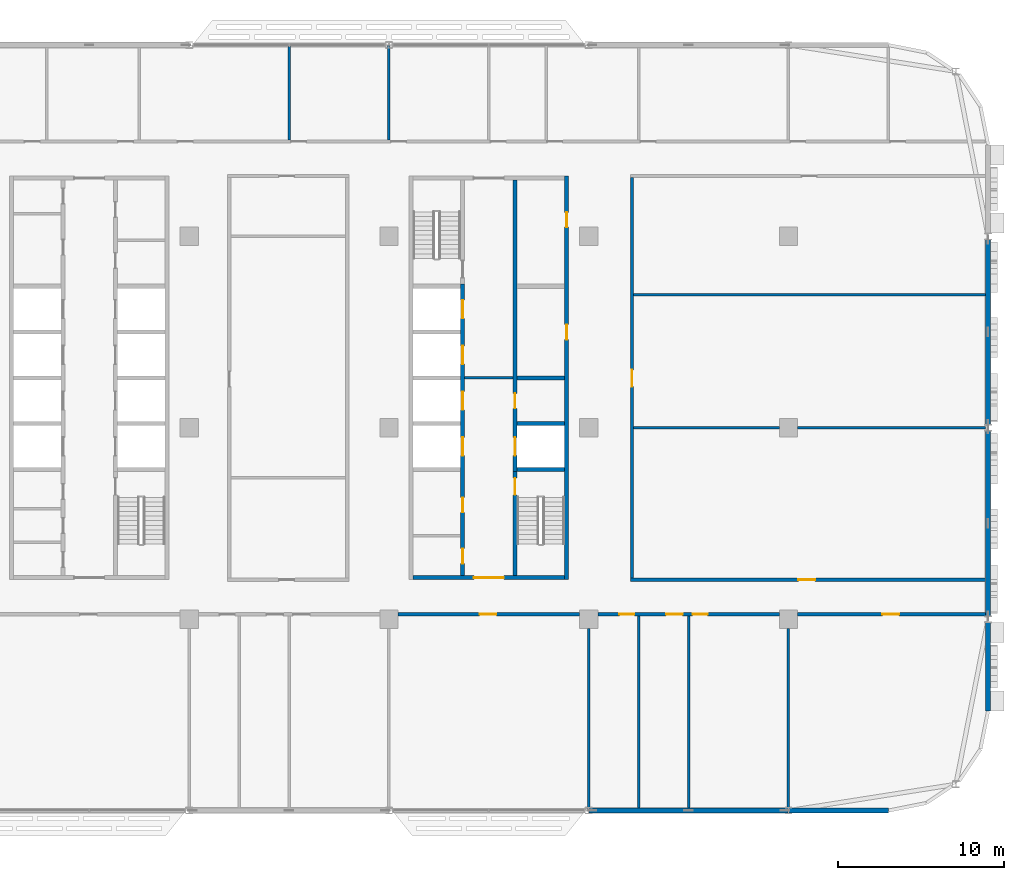
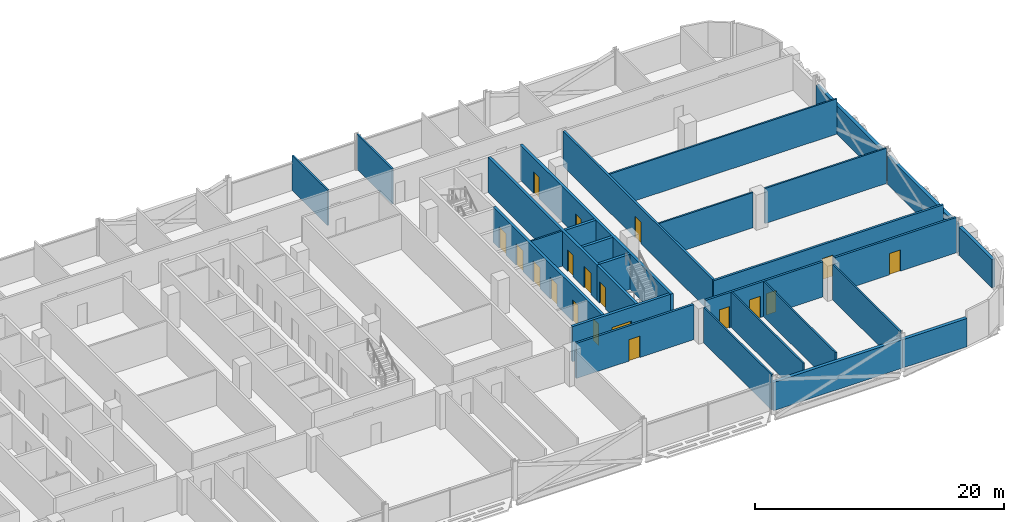
# One storey, part 17 of 30: 28 walls, 19 doors, 19 openings.
"""IFC4 building model written with IfcOpenShell, lengths in metres."""

from ifc_helpers import new_model, si_unit, direction, frame, frame_2d, origin, place, context, subcontext, project, spatial, rectangle, extrude, material, layer, layer_set, type_object, element, fill, save


model = new_model("IFC4")

# Units and contexts
model_context = context("Model", 3, precision=1e-05, world=origin(), true_north=direction((0.0, 1.0)))
body_context = subcontext(model_context, "Body", "Model", "MODEL_VIEW")
ifc_project = project(units=[si_unit("LENGTHUNIT", "METRE"), si_unit("AREAUNIT", "SQUARE_METRE"), si_unit("VOLUMEUNIT", "CUBIC_METRE"), si_unit("PLANEANGLEUNIT", "RADIAN"), si_unit("MASSUNIT", "GRAM", prefix="KILO")], contexts=[model_context])

# Site, building, storey
site_placement = place(None, origin())
site = spatial("IfcSite", under=ifc_project, at=site_placement, CompositionType="ELEMENT")
building_placement = place(site_placement, origin())
building = spatial("IfcBuilding", under=site, at=building_placement, Name="Mahtab Terrace Research Tower", CompositionType="ELEMENT")
storey_placement = place(building_placement, frame((0.0, 0.0, 212.89990234375)))
storey = spatial("IfcBuildingStorey", under=building, at=storey_placement, Name="L51", CompositionType="ELEMENT", Elevation=212.89990234375)

# Wall
ifc_material_1 = material(Name="Gypsum board partition")
ifc_layer_1 = layer(ifc_material_1, 0.14990234375)
ifc_layer_set_1 = layer_set([ifc_layer_1], Name="Core partition 150")
wall_type_1 = type_object("IfcWallType", Name="Core partition 150", PredefinedType="PARTITIONING", material=ifc_layer_set_1)
wall_1_placement = place(storey_placement, frame((22.550048828125, 3.0, 0.0), z_axis=(0.0, 0.0, 1.0), x_axis=(1.0, 0.0, 0.0)))
element("IfcWall", 1, at=wall_1_placement, inside=storey, type_object=wall_type_1, Name="Core wall C ffl", PredefinedType="PARTITIONING", context=body_context, shape_type="SweptSolid", body=[
    extrude(rectangle(XDim=2.89990234375, YDim=0.14990234375, at=frame_2d((1.449951171875, 0.0))), origin(), (0.0, 0.0, 1.0), 3.460205078125),
])

# Wall, openings, doors
ifc_material_2 = material(Name="Concrete C70/85", Category="concrete")
ifc_layer_2 = layer(ifc_material_2, 0.25)
ifc_layer_set_2 = layer_set([ifc_layer_2], Name="Core wall 250")
wall_type_2 = type_object("IfcWallType", Name="Core wall 250", PredefinedType="SOLIDWALL", material=ifc_layer_set_2)
wall_2_placement = place(storey_placement, frame((28.675048828125, -9.125, 0.0), z_axis=(0.0, 0.0, 1.0), x_axis=(0.0, 1.0, 0.0)))
wall_2 = element("IfcWall", 2, at=wall_2_placement, inside=storey, type_object=wall_type_2, Name="Core wall C outerE", PredefinedType="SOLIDWALL", context=body_context, shape_type="SweptSolid", body=[
    extrude(rectangle(XDim=24.25, YDim=0.25, at=frame_2d((12.125, 0.0))), origin(), (0.0, 0.0, 1.0), 3.460205078125),
])
opening_1_placement = place(wall_2_placement, frame((14.425048828125, 0.0, 0.0)))
opening_1 = element("IfcOpeningElement", 3, at=opening_1_placement, cuts=wall_2, Name="Opening C-R2", PredefinedType="OPENING", context=body_context, shape_type="SweptSolid", body=[
    extrude(rectangle(XDim=0.89990234375, YDim=2.10009765625, at=frame_2d((0.449951171875, 1.050048828125))), frame((0.0, 0.135009765625, 0.0), z_axis=(0.0, -1.0, 0.0), x_axis=(1.0, 0.0, 0.0)), (0.0, 0.0, 1.0), 0.27001953125),
])
opening_2_placement = place(wall_2_placement, frame((21.175048828125, 0.0, 0.0)))
opening_2 = element("IfcOpeningElement", 4, at=opening_2_placement, cuts=wall_2, Name="Opening C-R5", PredefinedType="OPENING", context=body_context, shape_type="SweptSolid", body=[
    extrude(rectangle(XDim=0.89990234375, YDim=2.10009765625, at=frame_2d((0.449951171875, 1.050048828125))), frame((0.0, 0.135009765625, 0.0), z_axis=(0.0, -1.0, 0.0), x_axis=(1.0, 0.0, 0.0)), (0.0, 0.0, 1.0), 0.27001953125),
])
ifc_material_3 = material(Name="Steel fire door", Category="steel")
door_type_1 = type_object("IfcDoorType", Name="Room door 900x2100 1 HR", OperationType="NOTDEFINED", PredefinedType="DOOR", material=ifc_material_3)
door_1_placement = place(opening_1_placement, origin())
door_1 = element("IfcDoor", 5, at=door_1_placement, inside=storey, type_object=door_type_1, Name="Plant room door", OperationType="SINGLE_SWING_RIGHT", OverallHeight=2.10009765625, OverallWidth=0.89990234375, PredefinedType="DOOR", context=body_context, shape_type="SweptSolid", body=[
    extrude(rectangle(XDim=0.89990234375, YDim=2.10009765625, at=frame_2d((0.449951171875, 1.050048828125))), frame((0.0, 0.02490234375, 0.0), z_axis=(0.0, -1.0, 0.0), x_axis=(1.0, 0.0, 0.0)), (0.0, 0.0, 1.0), 0.050048828125),
])
fill(opening_1, door_1)
door_2_placement = place(opening_2_placement, origin())
door_2 = element("IfcDoor", 6, at=door_2_placement, inside=storey, type_object=door_type_1, Name="Gas cylinder store door", OperationType="SINGLE_SWING_LEFT", OverallHeight=2.10009765625, OverallWidth=0.89990234375, PredefinedType="DOOR", context=body_context, shape_type="SweptSolid", body=[
    extrude(rectangle(XDim=0.89990234375, YDim=2.10009765625, at=frame_2d((0.449951171875, 1.050048828125))), frame((0.0, 0.02490234375, 0.0), z_axis=(0.0, -1.0, 0.0), x_axis=(1.0, 0.0, 0.0)), (0.0, 0.0, 1.0), 0.050048828125),
])
fill(opening_2, door_2)

# Wall, opening, door
wall_3_placement = place(storey_placement, frame((28.550048828125, -9.0, 0.0), z_axis=(0.0, 0.0, 1.0), x_axis=(-1.0, 0.0, 0.0)))
wall_3 = element("IfcWall", 7, at=wall_3_placement, inside=storey, type_object=wall_type_2, Name="Core wall C endS", PredefinedType="SOLIDWALL", context=body_context, shape_type="SweptSolid", body=[
    extrude(rectangle(XDim=9.10009765625, YDim=0.25, at=frame_2d((4.550048828125, 0.0))), origin(), (0.0, 0.0, 1.0), 3.460205078125),
])
opening_3_placement = place(wall_3_placement, frame((3.64990234375, 0.0, 0.0)))
opening_3 = element("IfcOpeningElement", 8, at=opening_3_placement, cuts=wall_3, Name="Opening C-S1", PredefinedType="OPENING", context=body_context, shape_type="SweptSolid", body=[
    extrude(rectangle(XDim=1.800048828125, YDim=2.10009765625, at=frame_2d((0.89990234375, 1.050048828125))), frame((0.0, 0.135009765625, 0.0), z_axis=(0.0, -1.0, 0.0), x_axis=(1.0, 0.0, 0.0)), (0.0, 0.0, 1.0), 0.27001953125),
])
door_type_2 = type_object("IfcDoorType", Name="Lobby double door 1800x2100 1 HR", OperationType="DOUBLE_DOOR_SINGLE_SWING", PredefinedType="DOOR", material=ifc_material_3)
door_3_placement = place(opening_3_placement, origin())
door_3 = element("IfcDoor", 9, at=door_3_placement, inside=storey, type_object=door_type_2, Name="Core entrance door C S", OperationType="DOUBLE_DOOR_SINGLE_SWING", OverallHeight=2.10009765625, OverallWidth=1.800048828125, PredefinedType="DOOR", context=body_context, shape_type="SweptSolid", body=[
    extrude(rectangle(XDim=1.800048828125, YDim=2.10009765625, at=frame_2d((0.89990234375, 1.050048828125))), frame((0.0, 0.02490234375, 0.0), z_axis=(0.0, -1.0, 0.0), x_axis=(1.0, 0.0, 0.0)), (0.0, 0.0, 1.0), 0.050048828125),
])
fill(opening_3, door_3)

# Wall, openings, doors
wall_4_placement = place(storey_placement, frame((22.425048828125, -8.875, 0.0), z_axis=(0.0, 0.0, 1.0), x_axis=(0.0, 1.0, 0.0)))
wall_4 = element("IfcWall", 10, at=wall_4_placement, inside=storey, type_object=wall_type_2, Name="Core wall C innerWSL", PredefinedType="SOLIDWALL", context=body_context, shape_type="SweptSolid", body=[
    extrude(rectangle(XDim=17.5, YDim=0.25, at=frame_2d((8.75, 0.0))), origin(), (0.0, 0.0, 1.0), 3.460205078125),
])
opening_4_placement = place(wall_4_placement, frame((7.199951171875, 0.0, 0.0)))
opening_4 = element("IfcOpeningElement", 11, at=opening_4_placement, cuts=wall_4, Name="Opening LD17-L51", PredefinedType="OPENING", context=body_context, shape_type="SweptSolid", body=[
    extrude(rectangle(XDim=1.10009765625, YDim=2.10009765625, at=frame_2d((0.550048828125, 1.050048828125))), frame((0.0, 0.135009765625, 0.0), z_axis=(0.0, -1.0, 0.0), x_axis=(1.0, 0.0, 0.0)), (0.0, 0.0, 1.0), 0.27001953125),
])
opening_5_placement = place(wall_4_placement, frame((9.949951171875, 0.0, 0.0)))
opening_5 = element("IfcOpeningElement", 12, at=opening_5_placement, cuts=wall_4, Name="Opening LD18-L51", PredefinedType="OPENING", context=body_context, shape_type="SweptSolid", body=[
    extrude(rectangle(XDim=1.10009765625, YDim=2.10009765625, at=frame_2d((0.550048828125, 1.050048828125))), frame((0.0, 0.135009765625, 0.0), z_axis=(0.0, -1.0, 0.0), x_axis=(1.0, 0.0, 0.0)), (0.0, 0.0, 1.0), 0.27001953125),
])
opening_6_placement = place(wall_4_placement, frame((12.699951171875, 0.0, 0.0)))
opening_6 = element("IfcOpeningElement", 13, at=opening_6_placement, cuts=wall_4, Name="Opening LD19-L51", PredefinedType="OPENING", context=body_context, shape_type="SweptSolid", body=[
    extrude(rectangle(XDim=1.10009765625, YDim=2.10009765625, at=frame_2d((0.550048828125, 1.050048828125))), frame((0.0, 0.135009765625, 0.0), z_axis=(0.0, -1.0, 0.0), x_axis=(1.0, 0.0, 0.0)), (0.0, 0.0, 1.0), 0.27001953125),
])
opening_7_placement = place(wall_4_placement, frame((15.449951171875, 0.0, 0.0)))
opening_7 = element("IfcOpeningElement", 14, at=opening_7_placement, cuts=wall_4, Name="Opening LD20-L51", PredefinedType="OPENING", context=body_context, shape_type="SweptSolid", body=[
    extrude(rectangle(XDim=1.10009765625, YDim=2.10009765625, at=frame_2d((0.550048828125, 1.050048828125))), frame((0.0, 0.135009765625, 0.0), z_axis=(0.0, -1.0, 0.0), x_axis=(1.0, 0.0, 0.0)), (0.0, 0.0, 1.0), 0.27001953125),
])
opening_8_placement = place(wall_4_placement, frame((0.71240234375, 0.0, 0.0)))
opening_8 = element("IfcOpeningElement", 15, at=opening_8_placement, cuts=wall_4, Name="Opening C-R3", PredefinedType="OPENING", context=body_context, shape_type="SweptSolid", body=[
    extrude(rectangle(XDim=0.89990234375, YDim=2.10009765625, at=frame_2d((0.449951171875, 1.050048828125))), frame((0.0, 0.135009765625, 0.0), z_axis=(0.0, -1.0, 0.0), x_axis=(1.0, 0.0, 0.0)), (0.0, 0.0, 1.0), 0.27001953125),
])
opening_9_placement = place(wall_4_placement, frame((3.78759765625, 0.0, 0.0)))
opening_9 = element("IfcOpeningElement", 16, at=opening_9_placement, cuts=wall_4, Name="Opening C-R4", PredefinedType="OPENING", context=body_context, shape_type="SweptSolid", body=[
    extrude(rectangle(XDim=0.89990234375, YDim=2.10009765625, at=frame_2d((0.449951171875, 1.050048828125))), frame((0.0, 0.135009765625, 0.0), z_axis=(0.0, -1.0, 0.0), x_axis=(1.0, 0.0, 0.0)), (0.0, 0.0, 1.0), 0.27001953125),
])
ifc_material_4 = material(Name="Stainless steel AISI 304", Category="steel")
door_type_3 = type_object("IfcDoorType", Name="Landing door 1100x2100", OperationType="DOUBLE_DOOR_SLIDING", PredefinedType="DOOR", material=ifc_material_4)
door_4_placement = place(opening_4_placement, origin())
door_4 = element("IfcDoor", 17, at=door_4_placement, inside=storey, type_object=door_type_3, Name="Landing door SV1 L51", OperationType="DOUBLE_DOOR_SLIDING", OverallHeight=2.10009765625, OverallWidth=1.10009765625, PredefinedType="DOOR", context=body_context, shape_type="SweptSolid", body=[
    extrude(rectangle(XDim=1.10009765625, YDim=2.10009765625, at=frame_2d((0.550048828125, 1.050048828125))), frame((0.0, 0.02490234375, 0.0), z_axis=(0.0, -1.0, 0.0), x_axis=(1.0, 0.0, 0.0)), (0.0, 0.0, 1.0), 0.050048828125),
])
fill(opening_4, door_4)
door_5_placement = place(opening_5_placement, origin())
door_5 = element("IfcDoor", 18, at=door_5_placement, inside=storey, type_object=door_type_3, Name="Landing door SV2 L51", OperationType="DOUBLE_DOOR_SLIDING", OverallHeight=2.10009765625, OverallWidth=1.10009765625, PredefinedType="DOOR", context=body_context, shape_type="SweptSolid", body=[
    extrude(rectangle(XDim=1.10009765625, YDim=2.10009765625, at=frame_2d((0.550048828125, 1.050048828125))), frame((0.0, 0.02490234375, 0.0), z_axis=(0.0, -1.0, 0.0), x_axis=(1.0, 0.0, 0.0)), (0.0, 0.0, 1.0), 0.050048828125),
])
fill(opening_5, door_5)
door_6_placement = place(opening_6_placement, origin())
door_6 = element("IfcDoor", 19, at=door_6_placement, inside=storey, type_object=door_type_3, Name="Landing door FF1 L51", OperationType="DOUBLE_DOOR_SLIDING", OverallHeight=2.10009765625, OverallWidth=1.10009765625, PredefinedType="DOOR", context=body_context, shape_type="SweptSolid", body=[
    extrude(rectangle(XDim=1.10009765625, YDim=2.10009765625, at=frame_2d((0.550048828125, 1.050048828125))), frame((0.0, 0.02490234375, 0.0), z_axis=(0.0, -1.0, 0.0), x_axis=(1.0, 0.0, 0.0)), (0.0, 0.0, 1.0), 0.050048828125),
])
fill(opening_6, door_6)
door_7_placement = place(opening_7_placement, origin())
door_7 = element("IfcDoor", 20, at=door_7_placement, inside=storey, type_object=door_type_3, Name="Landing door FF2 L51", OperationType="DOUBLE_DOOR_SLIDING", OverallHeight=2.10009765625, OverallWidth=1.10009765625, PredefinedType="DOOR", context=body_context, shape_type="SweptSolid", body=[
    extrude(rectangle(XDim=1.10009765625, YDim=2.10009765625, at=frame_2d((0.550048828125, 1.050048828125))), frame((0.0, 0.02490234375, 0.0), z_axis=(0.0, -1.0, 0.0), x_axis=(1.0, 0.0, 0.0)), (0.0, 0.0, 1.0), 0.050048828125),
])
fill(opening_7, door_7)
door_8_placement = place(opening_8_placement, origin())
door_8 = element("IfcDoor", 21, at=door_8_placement, inside=storey, type_object=door_type_1, Name="Accessible WC door", OperationType="SINGLE_SWING_LEFT", OverallHeight=2.10009765625, OverallWidth=0.89990234375, PredefinedType="DOOR", context=body_context, shape_type="SweptSolid", body=[
    extrude(rectangle(XDim=0.89990234375, YDim=2.10009765625, at=frame_2d((0.449951171875, 1.050048828125))), frame((0.0, 0.02490234375, 0.0), z_axis=(0.0, -1.0, 0.0), x_axis=(1.0, 0.0, 0.0)), (0.0, 0.0, 1.0), 0.050048828125),
])
fill(opening_8, door_8)
door_9_placement = place(opening_9_placement, origin())
door_9 = element("IfcDoor", 22, at=door_9_placement, inside=storey, type_object=door_type_1, Name="WC block door", OperationType="SINGLE_SWING_RIGHT", OverallHeight=2.10009765625, OverallWidth=0.89990234375, PredefinedType="DOOR", context=body_context, shape_type="SweptSolid", body=[
    extrude(rectangle(XDim=0.89990234375, YDim=2.10009765625, at=frame_2d((0.449951171875, 1.050048828125))), frame((0.0, 0.02490234375, 0.0), z_axis=(0.0, -1.0, 0.0), x_axis=(1.0, 0.0, 0.0)), (0.0, 0.0, 1.0), 0.050048828125),
])
fill(opening_9, door_9)

# Wall, opening, door
wall_5_placement = place(storey_placement, frame((25.574951171875, -8.875, 0.0), z_axis=(0.0, 0.0, 1.0), x_axis=(0.0, 1.0, 0.0)))
wall_5 = element("IfcWall", 23, at=wall_5_placement, inside=storey, type_object=wall_type_2, Name="Core wall C innerES", PredefinedType="SOLIDWALL", context=body_context, shape_type="SweptSolid", body=[
    extrude(rectangle(XDim=6.25, YDim=0.25, at=frame_2d((3.125, 0.0))), origin(), (0.0, 0.0, 1.0), 3.460205078125),
])
opening_10_placement = place(wall_5_placement, frame((4.85009765625, 0.0, 0.0)))
opening_10 = element("IfcOpeningElement", 24, at=opening_10_placement, cuts=wall_5, Name="Opening C-ST4", PredefinedType="OPENING", context=body_context, shape_type="SweptSolid", body=[
    extrude(rectangle(XDim=1.0, YDim=2.10009765625, at=frame_2d((0.5, 1.050048828125))), frame((0.0, 0.135009765625, 0.0), z_axis=(0.0, -1.0, 0.0), x_axis=(1.0, 0.0, 0.0)), (0.0, 0.0, 1.0), 0.27001953125),
])
door_type_4 = type_object("IfcDoorType", Name="Stair door 1000x2100 1.5 HR", OperationType="NOTDEFINED", PredefinedType="DOOR", material=ifc_material_3)
door_10_placement = place(opening_10_placement, origin())
door_10 = element("IfcDoor", 25, at=door_10_placement, inside=storey, type_object=door_type_4, Name="Stair door ST4 L51", OperationType="SINGLE_SWING_LEFT", OverallHeight=2.10009765625, OverallWidth=1.0, PredefinedType="DOOR", context=body_context, shape_type="SweptSolid", body=[
    extrude(rectangle(XDim=1.0, YDim=2.10009765625, at=frame_2d((0.5, 1.050048828125))), frame((0.0, 0.02490234375, 0.0), z_axis=(0.0, -1.0, 0.0), x_axis=(1.0, 0.0, 0.0)), (0.0, 0.0, 1.0), 0.050048828125),
])
fill(opening_10, door_10)

# Wall, openings, doors
wall_6_placement = place(storey_placement, frame((25.574951171875, 14.875, 0.0), z_axis=(0.0, 0.0, 1.0), x_axis=(0.0, -1.0, 0.0)))
wall_6 = element("IfcWall", 26, at=wall_6_placement, inside=storey, type_object=wall_type_2, Name="Core wall C innerELN", PredefinedType="SOLIDWALL", context=body_context, shape_type="SweptSolid", body=[
    extrude(rectangle(XDim=17.5, YDim=0.25, at=frame_2d((8.75, 0.0))), origin(), (0.0, 0.0, 1.0), 3.460205078125),
])
opening_11_placement = place(wall_6_placement, frame((15.449951171875, 0.0, 0.0)))
opening_11 = element("IfcOpeningElement", 27, at=opening_11_placement, cuts=wall_6, Name="Opening LD21-L51", PredefinedType="OPENING", context=body_context, shape_type="SweptSolid", body=[
    extrude(rectangle(XDim=1.10009765625, YDim=2.10009765625, at=frame_2d((0.550048828125, 1.050048828125))), frame((0.0, 0.135009765625, 0.0), z_axis=(0.0, -1.0, 0.0), x_axis=(1.0, 0.0, 0.0)), (0.0, 0.0, 1.0), 0.27001953125),
])
opening_12_placement = place(wall_6_placement, frame((12.800048828125, 0.0, 0.0)))
opening_12 = element("IfcOpeningElement", 28, at=opening_12_placement, cuts=wall_6, Name="Opening C-R1", PredefinedType="OPENING", context=body_context, shape_type="SweptSolid", body=[
    extrude(rectangle(XDim=0.89990234375, YDim=2.10009765625, at=frame_2d((0.449951171875, 1.050048828125))), frame((0.0, 0.135009765625, 0.0), z_axis=(0.0, -1.0, 0.0), x_axis=(1.0, 0.0, 0.0)), (0.0, 0.0, 1.0), 0.27001953125),
])
door_11_placement = place(opening_11_placement, origin())
door_11 = element("IfcDoor", 29, at=door_11_placement, inside=storey, type_object=door_type_3, Name="Landing door SV3 L51", OperationType="DOUBLE_DOOR_SLIDING", OverallHeight=2.10009765625, OverallWidth=1.10009765625, PredefinedType="DOOR", context=body_context, shape_type="SweptSolid", body=[
    extrude(rectangle(XDim=1.10009765625, YDim=2.10009765625, at=frame_2d((0.550048828125, 1.050048828125))), frame((0.0, 0.02490234375, 0.0), z_axis=(0.0, -1.0, 0.0), x_axis=(1.0, 0.0, 0.0)), (0.0, 0.0, 1.0), 0.050048828125),
])
fill(opening_11, door_11)
door_12_placement = place(opening_12_placement, origin())
door_12 = element("IfcDoor", 30, at=door_12_placement, inside=storey, type_object=door_type_1, Name="Plant room door", OperationType="SINGLE_SWING_LEFT", OverallHeight=2.10009765625, OverallWidth=0.89990234375, PredefinedType="DOOR", context=body_context, shape_type="SweptSolid", body=[
    extrude(rectangle(XDim=0.89990234375, YDim=2.10009765625, at=frame_2d((0.449951171875, 1.050048828125))), frame((0.0, 0.02490234375, 0.0), z_axis=(0.0, -1.0, 0.0), x_axis=(1.0, 0.0, 0.0)), (0.0, 0.0, 1.0), 0.050048828125),
])
fill(opening_12, door_12)

# Walls
for number, where, z_axis, x_axis, name in (
    (31, (25.699951171875, -2.5, 0.0), (0.0, 0.0, 1.0), (1.0, 0.0, 0.0), "Core wall C divE0"),
    (32, (25.699951171875, 0.25, 0.0), (0.0, 0.0, 1.0), (1.0, 0.0, 0.0), "Core wall C divE1"),
    (33, (25.699951171875, 3.0, 0.0), (0.0, 0.0, 1.0), (1.0, 0.0, 0.0), "Core wall C divE2"),
):
    element("IfcWall", number, at=place(storey_placement, frame(where, z_axis=z_axis, x_axis=x_axis)), inside=storey, type_object=wall_type_2, Name=name, PredefinedType="SOLIDWALL", context=body_context, shape_type="SweptSolid", body=[
        extrude(rectangle(XDim=2.85009765625, YDim=0.25, at=frame_2d((1.425048828125, 0.0))), origin(), (0.0, 0.0, 1.0), 3.460205078125),
    ])
ifc_material_5 = material(Name="Black aluminium cladding panel", Category="aluminium")
ifc_layer_3 = layer(ifc_material_5, 0.300048828125)
ifc_layer_set_3 = layer_set([ifc_layer_3], Name="Opaque facade wall 300")
wall_type_3 = type_object("IfcWallType", Name="Opaque facade wall 300", PredefinedType="NOTDEFINED", material=ifc_layer_set_3)
wall_7_placement = place(storey_placement, frame((30.012451171875, -23.0, 0.0), z_axis=(0.0, 0.0, 1.0), x_axis=(1.0, 0.0, 0.0)))
element("IfcWall", 34, at=wall_7_placement, inside=storey, type_object=wall_type_3, Name="Opaque facade wall L51 S29", PredefinedType="NOTDEFINED", context=body_context, shape_type="SweptSolid", body=[
    extrude(rectangle(XDim=11.97509765625, YDim=0.300048828125, at=frame_2d((5.987548828125, 0.0))), origin(), (0.0, 0.0, 1.0), 2.781982421875),
])
wall_8_placement = place(storey_placement, frame((42.012451171875, -23.0, 0.0), z_axis=(0.0, 0.0, 1.0), x_axis=(1.0, 0.0, 0.0)))
element("IfcWall", 35, at=wall_8_placement, inside=storey, type_object=wall_type_3, Name="Opaque facade wall L51 S30", PredefinedType="NOTDEFINED", context=body_context, shape_type="SweptSolid", body=[
    extrude(rectangle(XDim=5.987548828125, YDim=0.300048828125, at=frame_2d((2.99365234375, 0.0))), origin(), (0.0, 0.0, 1.0), 2.781982421875),
])
wall_9_placement = place(storey_placement, frame((54.0, -17.0, 0.0), z_axis=(0.0, 0.0, 1.0), x_axis=(0.0, 1.0, 0.0)))
element("IfcWall", 36, at=wall_9_placement, inside=storey, type_object=wall_type_3, Name="Opaque facade wall L51 E35", PredefinedType="NOTDEFINED", context=body_context, shape_type="SweptSolid", body=[
    extrude(rectangle(XDim=5.300048828125, YDim=0.300048828125, at=frame_2d((2.64990234375, 0.0))), origin(), (0.0, 0.0, 1.0), 2.781982421875),
])
for number, where, z_axis, x_axis, name in (
    (37, (54.0, -11.300048828125, 0.0), (0.0, 0.0, 1.0), (0.0, 1.0, 0.0), "Opaque facade wall L51 E36"),
    (38, (54.0, 0.199951171875, 0.0), (0.0, 0.0, 1.0), (0.0, 1.0, 0.0), "Opaque facade wall L51 E37"),
):
    element("IfcWall", number, at=place(storey_placement, frame(where, z_axis=z_axis, x_axis=x_axis)), inside=storey, type_object=wall_type_3, Name=name, PredefinedType="NOTDEFINED", context=body_context, shape_type="SweptSolid", body=[
        extrude(rectangle(XDim=11.10009765625, YDim=0.300048828125, at=frame_2d((5.550048828125, 0.0))), origin(), (0.0, 0.0, 1.0), 2.781982421875),
    ])

# Wall, opening, door
ifc_material_6 = material(Name="Gypsum board corridor wall on steel studs", Category="steel")
ifc_layer_4 = layer(ifc_material_6, 0.199951171875)
ifc_layer_set_4 = layer_set([ifc_layer_4], Name="WALL CORRIDOR 200")
wall_type_4 = type_object("IfcWallType", Name="WALL CORRIDOR 200", PredefinedType="PARTITIONING", material=ifc_layer_set_4)
wall_10_placement = place(storey_placement, frame((18.550048828125, -11.199951171875, 0.0), z_axis=(0.0, 0.0, 1.0), x_axis=(1.0, 0.0, 0.0)))
wall_10 = element("IfcWall", 39, at=wall_10_placement, inside=storey, type_object=wall_type_4, Name="L51-W006", PredefinedType="PARTITIONING", context=body_context, shape_type="SweptSolid", body=[
    extrude(rectangle(XDim=10.89990234375, YDim=0.199951171875, at=frame_2d((5.449951171875, 0.0))), origin(), (0.0, 0.0, 1.0), 3.460205078125),
])
opening_13_placement = place(wall_10_placement, frame((4.89990234375, 0.0, 0.0)))
opening_13 = element("IfcOpeningElement", 40, at=opening_13_placement, cuts=wall_10, Name="Opening L51-111", PredefinedType="OPENING", context=body_context, shape_type="SweptSolid", body=[
    extrude(rectangle(XDim=1.0, YDim=2.10009765625, at=frame_2d((0.5, 1.050048828125))), frame((0.0, 0.10986328125, 0.0), z_axis=(0.0, -1.0, 0.0), x_axis=(1.0, 0.0, 0.0)), (0.0, 0.0, 1.0), 0.219970703125),
])
ifc_material_7 = material(Name="Timber door leaf in steel frame", Category="steel")
door_type_5 = type_object("IfcDoorType", Name="DOOR 1000X2100 FD30S", OperationType="SINGLE_SWING_LEFT", PredefinedType="DOOR", material=ifc_material_7)
door_13_placement = place(opening_13_placement, origin())
door_13 = element("IfcDoor", 41, at=door_13_placement, inside=storey, type_object=door_type_5, Name="Door L51-111", OperationType="SINGLE_SWING_RIGHT", OverallHeight=2.10009765625, OverallWidth=1.0, PredefinedType="DOOR", context=body_context, shape_type="SweptSolid", body=[
    extrude(rectangle(XDim=1.0, YDim=2.10009765625, at=frame_2d((0.5, 1.050048828125))), frame((0.0, 0.02490234375, 0.0), z_axis=(0.0, -1.0, 0.0), x_axis=(1.0, 0.0, 0.0)), (0.0, 0.0, 1.0), 0.050048828125),
])
fill(opening_13, door_13)

# Wall, openings, doors
wall_11_placement = place(storey_placement, frame((30.550048828125, -11.199951171875, 0.0), z_axis=(0.0, 0.0, 1.0), x_axis=(1.0, 0.0, 0.0)))
wall_11 = element("IfcWall", 42, at=wall_11_placement, inside=storey, type_object=wall_type_4, Name="L51-W007", PredefinedType="PARTITIONING", context=body_context, shape_type="SweptSolid", body=[
    extrude(rectangle(XDim=10.89990234375, YDim=0.199951171875, at=frame_2d((5.449951171875, 0.0))), origin(), (0.0, 0.0, 1.0), 3.460205078125),
])
opening_14_placement = place(wall_11_placement, frame((1.300048828125, 0.0, 0.0)))
opening_14 = element("IfcOpeningElement", 43, at=opening_14_placement, cuts=wall_11, Name="Opening L51-112", PredefinedType="OPENING", context=body_context, shape_type="SweptSolid", body=[
    extrude(rectangle(XDim=0.89990234375, YDim=2.10009765625, at=frame_2d((0.449951171875, 1.050048828125))), frame((0.0, 0.10986328125, 0.0), z_axis=(0.0, -1.0, 0.0), x_axis=(1.0, 0.0, 0.0)), (0.0, 0.0, 1.0), 0.219970703125),
])
opening_15_placement = place(wall_11_placement, frame((4.10009765625, 0.0, 0.0)))
opening_15 = element("IfcOpeningElement", 44, at=opening_15_placement, cuts=wall_11, Name="Opening L51-113", PredefinedType="OPENING", context=body_context, shape_type="SweptSolid", body=[
    extrude(rectangle(XDim=1.0, YDim=2.10009765625, at=frame_2d((0.5, 1.050048828125))), frame((0.0, 0.10986328125, 0.0), z_axis=(0.0, -1.0, 0.0), x_axis=(1.0, 0.0, 0.0)), (0.0, 0.0, 1.0), 0.219970703125),
])
opening_16_placement = place(wall_11_placement, frame((5.699951171875, 0.0, 0.0)))
opening_16 = element("IfcOpeningElement", 45, at=opening_16_placement, cuts=wall_11, Name="Opening L51-114", PredefinedType="OPENING", context=body_context, shape_type="SweptSolid", body=[
    extrude(rectangle(XDim=0.89990234375, YDim=2.10009765625, at=frame_2d((0.449951171875, 1.050048828125))), frame((0.0, 0.10986328125, 0.0), z_axis=(0.0, -1.0, 0.0), x_axis=(1.0, 0.0, 0.0)), (0.0, 0.0, 1.0), 0.219970703125),
])
door_type_6 = type_object("IfcDoorType", Name="DOOR 0900X2100 FD30S", OperationType="SINGLE_SWING_LEFT", PredefinedType="DOOR", material=ifc_material_7)
door_14_placement = place(opening_14_placement, origin())
door_14 = element("IfcDoor", 46, at=door_14_placement, inside=storey, type_object=door_type_6, Name="Door L51-112", OperationType="SINGLE_SWING_RIGHT", OverallHeight=2.10009765625, OverallWidth=0.89990234375, PredefinedType="DOOR", context=body_context, shape_type="SweptSolid", body=[
    extrude(rectangle(XDim=0.89990234375, YDim=2.10009765625, at=frame_2d((0.449951171875, 1.050048828125))), frame((0.0, 0.02490234375, 0.0), z_axis=(0.0, -1.0, 0.0), x_axis=(1.0, 0.0, 0.0)), (0.0, 0.0, 1.0), 0.050048828125),
])
fill(opening_14, door_14)
door_15_placement = place(opening_16_placement, origin())
door_15 = element("IfcDoor", 47, at=door_15_placement, inside=storey, type_object=door_type_6, Name="Door L51-114", OperationType="SINGLE_SWING_LEFT", OverallHeight=2.10009765625, OverallWidth=0.89990234375, PredefinedType="DOOR", context=body_context, shape_type="SweptSolid", body=[
    extrude(rectangle(XDim=0.89990234375, YDim=2.10009765625, at=frame_2d((0.449951171875, 1.050048828125))), frame((0.0, 0.02490234375, 0.0), z_axis=(0.0, -1.0, 0.0), x_axis=(1.0, 0.0, 0.0)), (0.0, 0.0, 1.0), 0.050048828125),
])
fill(opening_16, door_15)
door_16_placement = place(opening_15_placement, origin())
door_16 = element("IfcDoor", 48, at=door_16_placement, inside=storey, type_object=door_type_5, Name="Door L51-113", OperationType="SINGLE_SWING_RIGHT", OverallHeight=2.10009765625, OverallWidth=1.0, PredefinedType="DOOR", context=body_context, shape_type="SweptSolid", body=[
    extrude(rectangle(XDim=1.0, YDim=2.10009765625, at=frame_2d((0.5, 1.050048828125))), frame((0.0, 0.02490234375, 0.0), z_axis=(0.0, -1.0, 0.0), x_axis=(1.0, 0.0, 0.0)), (0.0, 0.0, 1.0), 0.050048828125),
])
fill(opening_15, door_16)

# Wall, opening, door
wall_12_placement = place(storey_placement, frame((42.550048828125, -11.199951171875, 0.0), z_axis=(0.0, 0.0, 1.0), x_axis=(1.0, 0.0, 0.0)))
wall_12 = element("IfcWall", 49, at=wall_12_placement, inside=storey, type_object=wall_type_4, Name="L51-W008", PredefinedType="PARTITIONING", context=body_context, shape_type="SweptSolid", body=[
    extrude(rectangle(XDim=11.300048828125, YDim=0.199951171875, at=frame_2d((5.64990234375, 0.0))), origin(), (0.0, 0.0, 1.0), 3.460205078125),
])
opening_17_placement = place(wall_12_placement, frame((5.10009765625, 0.0, 0.0)))
opening_17 = element("IfcOpeningElement", 50, at=opening_17_placement, cuts=wall_12, Name="Opening L51-115", PredefinedType="OPENING", context=body_context, shape_type="SweptSolid", body=[
    extrude(rectangle(XDim=1.0, YDim=2.10009765625, at=frame_2d((0.5, 1.050048828125))), frame((0.0, 0.10986328125, 0.0), z_axis=(0.0, -1.0, 0.0), x_axis=(1.0, 0.0, 0.0)), (0.0, 0.0, 1.0), 0.219970703125),
])
door_17_placement = place(opening_17_placement, origin())
door_17 = element("IfcDoor", 51, at=door_17_placement, inside=storey, type_object=door_type_5, Name="Door L51-115", OperationType="SINGLE_SWING_RIGHT", OverallHeight=2.10009765625, OverallWidth=1.0, PredefinedType="DOOR", context=body_context, shape_type="SweptSolid", body=[
    extrude(rectangle(XDim=1.0, YDim=2.10009765625, at=frame_2d((0.5, 1.050048828125))), frame((0.0, 0.02490234375, 0.0), z_axis=(0.0, -1.0, 0.0), x_axis=(1.0, 0.0, 0.0)), (0.0, 0.0, 1.0), 0.050048828125),
])
fill(opening_17, door_17)

wall_13_placement = place(storey_placement, frame((32.5, -9.125, 0.0), z_axis=(0.0, 0.0, 1.0), x_axis=(1.0, 0.0, 0.0)))
wall_13 = element("IfcWall", 52, at=wall_13_placement, inside=storey, type_object=wall_type_4, Name="L51-W012", PredefinedType="PARTITIONING", context=body_context, shape_type="SweptSolid", body=[
    extrude(rectangle(XDim=21.35009765625, YDim=0.199951171875, at=frame_2d((10.675048828125, 0.0))), origin(), (0.0, 0.0, 1.0), 3.460205078125),
])
opening_18_placement = place(wall_13_placement, frame((10.10009765625, 0.0, 0.0)))
opening_18 = element("IfcOpeningElement", 53, at=opening_18_placement, cuts=wall_13, Name="Opening L51-119", PredefinedType="OPENING", context=body_context, shape_type="SweptSolid", body=[
    extrude(rectangle(XDim=1.0, YDim=2.10009765625, at=frame_2d((0.5, 1.050048828125))), frame((0.0, 0.10986328125, 0.0), z_axis=(0.0, -1.0, 0.0), x_axis=(1.0, 0.0, 0.0)), (0.0, 0.0, 1.0), 0.219970703125),
])
door_18_placement = place(opening_18_placement, origin())
door_18 = element("IfcDoor", 54, at=door_18_placement, inside=storey, type_object=door_type_5, Name="Door L51-119", OperationType="SINGLE_SWING_LEFT", OverallHeight=2.10009765625, OverallWidth=1.0, PredefinedType="DOOR", context=body_context, shape_type="SweptSolid", body=[
    extrude(rectangle(XDim=1.0, YDim=2.10009765625, at=frame_2d((0.5, 1.050048828125))), frame((0.0, 0.02490234375, 0.0), z_axis=(0.0, -1.0, 0.0), x_axis=(1.0, 0.0, 0.0)), (0.0, 0.0, 1.0), 0.050048828125),
])
fill(opening_18, door_18)

wall_14_placement = place(storey_placement, frame((32.60009765625, -9.02490234375, 0.0), z_axis=(0.0, 0.0, 1.0), x_axis=(0.0, 1.0, 0.0)))
wall_14 = element("IfcWall", 55, at=wall_14_placement, inside=storey, type_object=wall_type_4, Name="L51-W055", PredefinedType="PARTITIONING", context=body_context, shape_type="SweptSolid", body=[
    extrude(rectangle(XDim=24.0498046875, YDim=0.199951171875, at=frame_2d((12.02490234375, 0.0))), origin(), (0.0, 0.0, 1.0), 3.460205078125),
])
opening_19_placement = place(wall_14_placement, frame((11.5, 0.0, 0.0)))
opening_19 = element("IfcOpeningElement", 56, at=opening_19_placement, cuts=wall_14, Name="Opening L51-123", PredefinedType="OPENING", context=body_context, shape_type="SweptSolid", body=[
    extrude(rectangle(XDim=1.0, YDim=2.10009765625, at=frame_2d((0.5, 1.050048828125))), frame((0.0, 0.10986328125, 0.0), z_axis=(0.0, -1.0, 0.0), x_axis=(1.0, 0.0, 0.0)), (0.0, 0.0, 1.0), 0.219970703125),
])
door_19_placement = place(opening_19_placement, origin())
door_19 = element("IfcDoor", 57, at=door_19_placement, inside=storey, type_object=door_type_5, Name="Door L51-123", OperationType="SINGLE_SWING_RIGHT", OverallHeight=2.10009765625, OverallWidth=1.0, PredefinedType="DOOR", context=body_context, shape_type="SweptSolid", body=[
    extrude(rectangle(XDim=1.0, YDim=2.10009765625, at=frame_2d((0.5, 1.050048828125))), frame((0.0, 0.02490234375, 0.0), z_axis=(0.0, -1.0, 0.0), x_axis=(1.0, 0.0, 0.0)), (0.0, 0.0, 1.0), 0.050048828125),
])
fill(opening_19, door_19)

# Walls
ifc_material_8 = material(Name="Gypsum board partition on steel studs", Category="steel")
ifc_layer_5 = layer(ifc_material_8, 0.14990234375)
ifc_layer_set_5 = layer_set([ifc_layer_5], Name="WALL PARTITION 150")
wall_type_5 = type_object("IfcWallType", Name="WALL PARTITION 150", PredefinedType="PARTITIONING", material=ifc_layer_set_5)
wall_15_placement = place(storey_placement, frame((32.699951171875, 0.0, 0.0), z_axis=(0.0, 0.0, 1.0), x_axis=(1.0, 0.0, 0.0)))
element("IfcWall", 58, at=wall_15_placement, inside=storey, type_object=wall_type_5, Name="L51-W016", PredefinedType="PARTITIONING", context=body_context, shape_type="SweptSolid", body=[
    extrude(rectangle(XDim=8.75, YDim=0.14990234375, at=frame_2d((4.375, 0.0))), origin(), (0.0, 0.0, 1.0), 3.460205078125),
])
wall_16_placement = place(storey_placement, frame((42.550048828125, 0.0, 0.0), z_axis=(0.0, 0.0, 1.0), x_axis=(1.0, 0.0, 0.0)))
element("IfcWall", 59, at=wall_16_placement, inside=storey, type_object=wall_type_5, Name="L51-W017", PredefinedType="PARTITIONING", context=body_context, shape_type="SweptSolid", body=[
    extrude(rectangle(XDim=11.300048828125, YDim=0.14990234375, at=frame_2d((5.64990234375, 0.0))), origin(), (0.0, 0.0, 1.0), 3.460205078125),
])
wall_17_placement = place(storey_placement, frame((32.699951171875, 8.0, 0.0), z_axis=(0.0, 0.0, 1.0), x_axis=(1.0, 0.0, 0.0)))
element("IfcWall", 60, at=wall_17_placement, inside=storey, type_object=wall_type_5, Name="L51-W019", PredefinedType="PARTITIONING", context=body_context, shape_type="SweptSolid", body=[
    extrude(rectangle(XDim=21.150146484375, YDim=0.14990234375, at=frame_2d((10.5751953125, 0.0))), origin(), (0.0, 0.0, 1.0), 3.460205078125),
])
for number, where, z_axis, x_axis, name in (
    (61, (12.0, 17.300048828125, 0.0), (0.0, 0.0, 1.0), (0.0, 1.0, 0.0), "L51-W048"),
    (62, (18.0, 17.300048828125, 0.0), (0.0, 0.0, 1.0), (0.0, 1.0, 0.0), "L51-W051"),
):
    element("IfcWall", number, at=place(storey_placement, frame(where, z_axis=z_axis, x_axis=x_axis)), inside=storey, type_object=wall_type_5, Name=name, PredefinedType="PARTITIONING", context=body_context, shape_type="SweptSolid", body=[
        extrude(rectangle(XDim=5.675048828125, YDim=0.14990234375, at=frame_2d((2.83740234375, 0.0))), origin(), (0.0, 0.0, 1.0), 3.460205078125),
    ])
wall_18_placement = place(storey_placement, frame((30.0, -22.97509765625, 0.0), z_axis=(0.0, 0.0, 1.0), x_axis=(0.0, 1.0, 0.0)))
element("IfcWall", 63, at=wall_18_placement, inside=storey, type_object=wall_type_5, Name="L51-W054", PredefinedType="PARTITIONING", context=body_context, shape_type="SweptSolid", body=[
    extrude(rectangle(XDim=10.925048828125, YDim=0.14990234375, at=frame_2d((5.46240234375, 0.0))), origin(), (0.0, 0.0, 1.0), 3.460205078125),
])
for number, where, z_axis, x_axis, name in (
    (64, (33.0, -22.85009765625, 0.0), (0.0, 0.0, 1.0), (0.0, 1.0, 0.0), "L51-W056"),
    (65, (36.0, -22.85009765625, 0.0), (0.0, 0.0, 1.0), (0.0, 1.0, 0.0), "L51-W058"),
):
    element("IfcWall", number, at=place(storey_placement, frame(where, z_axis=z_axis, x_axis=x_axis)), inside=storey, type_object=wall_type_5, Name=name, PredefinedType="PARTITIONING", context=body_context, shape_type="SweptSolid", body=[
        extrude(rectangle(XDim=11.550048828125, YDim=0.14990234375, at=frame_2d((5.77490234375, 0.0))), origin(), (0.0, 0.0, 1.0), 3.460205078125),
    ])
wall_19_placement = place(storey_placement, frame((42.0, -22.85009765625, 0.0), z_axis=(0.0, 0.0, 1.0), x_axis=(0.0, 1.0, 0.0)))
element("IfcWall", 66, at=wall_19_placement, inside=storey, type_object=wall_type_5, Name="L51-W059", PredefinedType="PARTITIONING", context=body_context, shape_type="SweptSolid", body=[
    extrude(rectangle(XDim=10.800048828125, YDim=0.14990234375, at=frame_2d((5.39990234375, 0.0))), origin(), (0.0, 0.0, 1.0), 3.460205078125),
])

save(model, "model.ifc")
